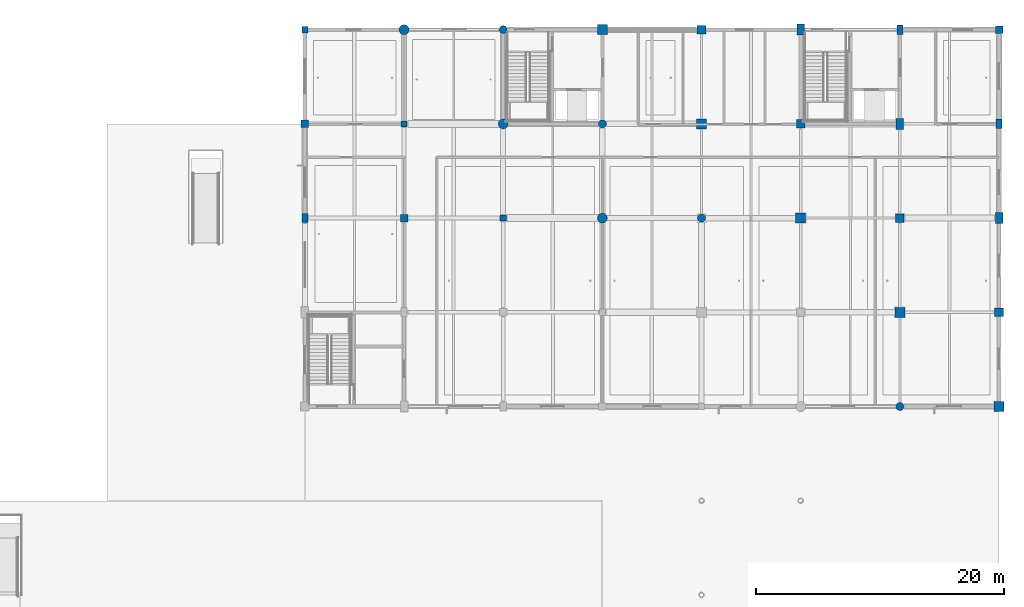
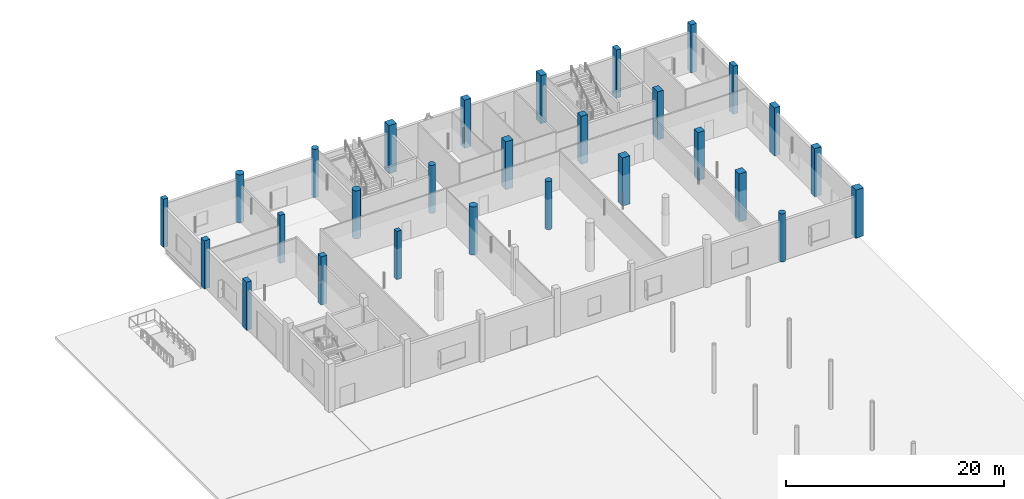
# One storey, part 10 of 126: 28 columns.
"""IFC4 building model written with IfcOpenShell, lengths in metres."""

from ifc_helpers import new_model, si_unit, direction, frame, origin, origin_2d, place, context, subcontext, project, spatial, rectangle, circle, extrude, material, material_profile, profile_set, type_object, element, save


model = new_model("IFC4")

# Units and contexts
model_context = context("Model", 3, precision=1e-05, world=origin(), true_north=direction((0.0, 1.0)))
body_context = subcontext(model_context, "Body", "Model", "MODEL_VIEW")
ifc_project = project(units=[si_unit("LENGTHUNIT", "METRE"), si_unit("AREAUNIT", "SQUARE_METRE"), si_unit("VOLUMEUNIT", "CUBIC_METRE"), si_unit("PLANEANGLEUNIT", "RADIAN"), si_unit("MASSUNIT", "GRAM", prefix="KILO")], contexts=[model_context])

# Site, building, storey
site_placement = place(None, origin())
site = spatial("IfcSite", under=ifc_project, at=site_placement, CompositionType="ELEMENT")
building_placement = place(site_placement, origin())
building = spatial("IfcBuilding", under=site, at=building_placement, Name="Khelvaren Railside Concert Hall", CompositionType="ELEMENT")
storey_placement = place(building_placement, origin())
storey = spatial("IfcBuildingStorey", under=building, at=storey_placement, Name="L00", CompositionType="ELEMENT", Elevation=0.0)

# Columns
ifc_material = material(Name="Concrete C45/55", Category="concrete")
ifc_material_profile_1 = material_profile(ifc_material, rectangle(XDim=0.60009765625, YDim=0.60009765625, at=origin_2d()), Name="RC 600x600")
ifc_profile_set_1 = profile_set([ifc_material_profile_1], Name="Concrete C45/55")
column_type_1 = type_object("IfcColumnType", Name="COL11", PredefinedType="COLUMN", material=ifc_profile_set_1)
for number, where, z_axis, x_axis, name in (
    (1, (128.0, 106.39990234375, 0.0), (0.0, 0.0, 1.0), (1.0, 0.0, 0.0), "V5 L00 Column (128.0,106.4)"),
    (2, (184.0, 114.0, 0.0), (0.0, 0.0, 1.0), (1.0, 0.0, 0.0), "V5 L00 Column (184.0,114.0)"),
):
    element("IfcColumn", number, at=place(storey_placement, frame(where, z_axis=z_axis, x_axis=x_axis)), inside=storey, type_object=column_type_1, Name=name, PredefinedType="COLUMN", context=body_context, shape_type="SweptSolid", body=[
        extrude(rectangle(XDim=0.60009765625, YDim=0.60009765625, at=origin_2d()), origin(), (0.0, 0.0, 1.0), 5.39990234375),
    ])
ifc_material_profile_2 = material_profile(ifc_material, circle(Radius=0.39990234375, at=origin_2d()), Name="RC D800")
ifc_profile_set_2 = profile_set([ifc_material_profile_2], Name="Concrete C45/55")
column_type_2 = type_object("IfcColumnType", Name="COL14", PredefinedType="COLUMN", material=ifc_profile_set_2)
for number, where, z_axis, x_axis, name in (
    (3, (144.0, 106.39990234375, 0.0), (0.0, 0.0, 1.0), (1.0, 0.0, 0.0), "V5 L00 Column (144.0,106.4)"),
    (4, (152.0, 98.800048828125, 0.0), (0.0, 0.0, 1.0), (1.0, 0.0, 0.0), "V5 L00 Column (152.0,98.8)"),
):
    element("IfcColumn", number, at=place(storey_placement, frame(where, z_axis=z_axis, x_axis=x_axis)), inside=storey, type_object=column_type_2, Name=name, PredefinedType="COLUMN", context=body_context, shape_type="SweptSolid", body=[
        extrude(circle(Radius=0.39990234375, at=origin_2d()), origin(), (0.0, 0.0, 1.0), 5.39990234375),
    ])
ifc_material_profile_3 = material_profile(ifc_material, rectangle(XDim=0.699951171875, YDim=0.699951171875, at=origin_2d()), Name="RC 700x700")
ifc_profile_set_3 = profile_set([ifc_material_profile_3], Name="Concrete C45/55")
column_type_3 = type_object("IfcColumnType", Name="COL16", PredefinedType="COLUMN", material=ifc_profile_set_3)
for number, where, z_axis, x_axis, name in (
    (5, (160.0, 114.0, 0.0), (0.0, 0.0, 1.0), (1.0, 0.0, 0.0), "V5 L00 Column (160.0,114.0)"),
    (6, (184.0, 91.199951171875, 0.0), (0.0, 0.0, 1.0), (1.0, 0.0, 0.0), "V5 L00 Column (184.0,91.2)"),
):
    element("IfcColumn", number, at=place(storey_placement, frame(where, z_axis=z_axis, x_axis=x_axis)), inside=storey, type_object=column_type_3, Name=name, PredefinedType="COLUMN", context=body_context, shape_type="SweptSolid", body=[
        extrude(rectangle(XDim=0.699951171875, YDim=0.699951171875, at=origin_2d()), origin(), (0.0, 0.0, 1.0), 5.39990234375),
    ])
ifc_material_profile_4 = material_profile(ifc_material, rectangle(XDim=0.800048828125, YDim=0.800048828125, at=origin_2d()), Name="RC 800x800")
ifc_profile_set_4 = profile_set([ifc_material_profile_4], Name="Concrete C45/55")
column_type_4 = type_object("IfcColumnType", Name="COL20", PredefinedType="COLUMN", material=ifc_profile_set_4)
for number, where, z_axis, x_axis, name in (
    (7, (160.0, 106.39990234375, 0.0), (0.0, 0.0, 1.0), (1.0, 0.0, 0.0), "V5 L00 Column (160.0,106.4)"),
    (8, (168.0, 98.800048828125, 0.0), (0.0, 0.0, 1.0), (1.0, 0.0, 0.0), "V5 L00 Column (168.0,98.8)"),
    (9, (176.0, 91.199951171875, 0.0), (0.0, 0.0, 1.0), (1.0, 0.0, 0.0), "V5 L00 Column (176.0,91.2)"),
):
    element("IfcColumn", number, at=place(storey_placement, frame(where, z_axis=z_axis, x_axis=x_axis)), inside=storey, type_object=column_type_4, Name=name, PredefinedType="COLUMN", context=body_context, shape_type="SweptSolid", body=[
        extrude(rectangle(XDim=0.800048828125, YDim=0.800048828125, at=origin_2d()), origin(), (0.0, 0.0, 1.0), 5.39990234375),
    ])
ifc_material_profile_5 = material_profile(ifc_material, circle(Radius=0.39990234375, at=origin_2d()), Name="RC D800")
ifc_profile_set_5 = profile_set([ifc_material_profile_5], Name="Concrete C45/55")
column_type_5 = type_object("IfcColumnType", Name="COL22", PredefinedType="COLUMN", material=ifc_profile_set_5)
column_1_placement = place(storey_placement, frame((136.0, 114.0, 0.0), z_axis=(0.0, 0.0, 1.0), x_axis=(1.0, 0.0, 0.0)))
element("IfcColumn", 10, at=column_1_placement, inside=storey, type_object=column_type_5, Name="V5 L00 Column (136.0,114.0)", PredefinedType="COLUMN", context=body_context, shape_type="SweptSolid", body=[
    extrude(circle(Radius=0.39990234375, at=origin_2d()), origin(), (0.0, 0.0, 1.0), 5.39990234375),
])
ifc_material_profile_6 = material_profile(ifc_material, rectangle(XDim=0.60009765625, YDim=0.60009765625, at=origin_2d()), Name="RC 600x600")
ifc_profile_set_6 = profile_set([ifc_material_profile_6], Name="Concrete C45/55")
column_type_6 = type_object("IfcColumnType", Name="COL29", PredefinedType="COLUMN", material=ifc_profile_set_6)
column_2_placement = place(storey_placement, frame((136.0, 98.800048828125, 0.0), z_axis=(0.0, 0.0, 1.0), x_axis=(1.0, 0.0, 0.0)))
element("IfcColumn", 11, at=column_2_placement, inside=storey, type_object=column_type_6, Name="V5 L00 Column (136.0,98.8)", PredefinedType="COLUMN", context=body_context, shape_type="SweptSolid", body=[
    extrude(rectangle(XDim=0.60009765625, YDim=0.60009765625, at=origin_2d()), origin(), (0.0, 0.0, 1.0), 5.39990234375),
])
ifc_material_profile_7 = material_profile(ifc_material, rectangle(XDim=0.60009765625, YDim=0.89990234375, at=origin_2d()), Name="RC 600x900")
ifc_profile_set_7 = profile_set([ifc_material_profile_7], Name="Concrete C45/55")
column_type_7 = type_object("IfcColumnType", Name="COL33", PredefinedType="COLUMN", material=ifc_profile_set_7)
column_3_placement = place(storey_placement, frame((176.0, 106.39990234375, 0.0), z_axis=(0.0, 0.0, 1.0), x_axis=(1.0, 0.0, 0.0)))
element("IfcColumn", 12, at=column_3_placement, inside=storey, type_object=column_type_7, Name="V5 L00 Column (176.0,106.4)", PredefinedType="COLUMN", context=body_context, shape_type="SweptSolid", body=[
    extrude(rectangle(XDim=0.60009765625, YDim=0.89990234375, at=origin_2d()), origin(), (0.0, 0.0, 1.0), 5.39990234375),
])
ifc_material_profile_8 = material_profile(ifc_material, rectangle(XDim=0.5, YDim=0.5, at=origin_2d()), Name="RC 500x500")
ifc_profile_set_8 = profile_set([ifc_material_profile_8], Name="Concrete C45/55")
column_type_8 = type_object("IfcColumnType", Name="COL35", PredefinedType="COLUMN", material=ifc_profile_set_8)
column_4_placement = place(storey_placement, frame((128.0, 114.0, 0.0), z_axis=(0.0, 0.0, 1.0), x_axis=(1.0, 0.0, 0.0)))
element("IfcColumn", 13, at=column_4_placement, inside=storey, type_object=column_type_8, Name="V5 L00 Column (128.0,114.0)", PredefinedType="COLUMN", context=body_context, shape_type="SweptSolid", body=[
    extrude(rectangle(XDim=0.5, YDim=0.5, at=origin_2d()), origin(), (0.0, 0.0, 1.0), 5.39990234375),
])
ifc_material_profile_9 = material_profile(ifc_material, rectangle(XDim=0.800048828125, YDim=0.800048828125, at=origin_2d()), Name="RC 800x800")
ifc_profile_set_9 = profile_set([ifc_material_profile_9], Name="Concrete C45/55")
column_type_9 = type_object("IfcColumnType", Name="COL38", PredefinedType="COLUMN", material=ifc_profile_set_9)
for number, where, z_axis, x_axis, name in (
    (14, (152.0, 114.0, 0.0), (0.0, 0.0, 1.0), (1.0, 0.0, 0.0), "V5 L00 Column (152.0,114.0)"),
    (15, (184.0, 83.60009765625, 0.0), (0.0, 0.0, 1.0), (1.0, 0.0, 0.0), "V5 L00 Column (184.0,83.6)"),
):
    element("IfcColumn", number, at=place(storey_placement, frame(where, z_axis=z_axis, x_axis=x_axis)), inside=storey, type_object=column_type_9, Name=name, PredefinedType="COLUMN", context=body_context, shape_type="SweptSolid", body=[
        extrude(rectangle(XDim=0.800048828125, YDim=0.800048828125, at=origin_2d()), origin(), (0.0, 0.0, 1.0), 5.39990234375),
    ])
ifc_material_profile_10 = material_profile(ifc_material, circle(Radius=0.324951171875, at=origin_2d()), Name="RC D650")
ifc_profile_set_10 = profile_set([ifc_material_profile_10], Name="Concrete C45/55")
column_type_10 = type_object("IfcColumnType", Name="COL53", PredefinedType="COLUMN", material=ifc_profile_set_10)
for number, where, z_axis, x_axis, name in (
    (16, (144.0, 114.0, 0.0), (0.0, 0.0, 1.0), (1.0, 0.0, 0.0), "V5 L00 Column (144.0,114.0)"),
    (17, (176.0, 83.60009765625, 0.0), (0.0, 0.0, 1.0), (1.0, 0.0, 0.0), "V5 L00 Column (176.0,83.6)"),
):
    element("IfcColumn", number, at=place(storey_placement, frame(where, z_axis=z_axis, x_axis=x_axis)), inside=storey, type_object=column_type_10, Name=name, PredefinedType="COLUMN", context=body_context, shape_type="SweptSolid", body=[
        extrude(circle(Radius=0.324951171875, at=origin_2d()), origin(), (0.0, 0.0, 1.0), 5.39990234375),
    ])
ifc_material_profile_11 = material_profile(ifc_material, rectangle(XDim=0.699951171875, YDim=0.699951171875, at=origin_2d()), Name="RC 700x700")
ifc_profile_set_11 = profile_set([ifc_material_profile_11], Name="Concrete C45/55")
column_type_11 = type_object("IfcColumnType", Name="COL74", PredefinedType="COLUMN", material=ifc_profile_set_11)
for number, where, z_axis, x_axis, name in (
    (18, (168.0, 106.39990234375, 0.0), (0.0, 0.0, 1.0), (1.0, 0.0, 0.0), "V5 L00 Column (168.0,106.4)"),
    (19, (176.0, 98.800048828125, 0.0), (0.0, 0.0, 1.0), (1.0, 0.0, 0.0), "V5 L00 Column (176.0,98.8)"),
):
    element("IfcColumn", number, at=place(storey_placement, frame(where, z_axis=z_axis, x_axis=x_axis)), inside=storey, type_object=column_type_11, Name=name, PredefinedType="COLUMN", context=body_context, shape_type="SweptSolid", body=[
        extrude(rectangle(XDim=0.699951171875, YDim=0.699951171875, at=origin_2d()), origin(), (0.0, 0.0, 1.0), 5.39990234375),
    ])
ifc_material_profile_12 = material_profile(ifc_material, rectangle(XDim=0.5, YDim=0.5, at=origin_2d()), Name="RC 500x500")
ifc_profile_set_12 = profile_set([ifc_material_profile_12], Name="Concrete C45/55")
column_type_12 = type_object("IfcColumnType", Name="COL84", PredefinedType="COLUMN", material=ifc_profile_set_12)
for number, where, z_axis, x_axis, name in (
    (20, (136.0, 106.39990234375, 0.0), (0.0, 0.0, 1.0), (1.0, 0.0, 0.0), "V5 L00 Column (136.0,106.4)"),
    (21, (144.0, 98.800048828125, 0.0), (0.0, 0.0, 1.0), (1.0, 0.0, 0.0), "V5 L00 Column (144.0,98.8)"),
):
    element("IfcColumn", number, at=place(storey_placement, frame(where, z_axis=z_axis, x_axis=x_axis)), inside=storey, type_object=column_type_12, Name=name, PredefinedType="COLUMN", context=body_context, shape_type="SweptSolid", body=[
        extrude(rectangle(XDim=0.5, YDim=0.5, at=origin_2d()), origin(), (0.0, 0.0, 1.0), 5.39990234375),
    ])
ifc_material_profile_13 = material_profile(ifc_material, circle(Radius=0.324951171875, at=origin_2d()), Name="RC D650")
ifc_profile_set_13 = profile_set([ifc_material_profile_13], Name="Concrete C45/55")
column_type_13 = type_object("IfcColumnType", Name="COL94", PredefinedType="COLUMN", material=ifc_profile_set_13)
for number, where, z_axis, x_axis, name in (
    (22, (152.0, 106.39990234375, 0.0), (0.0, 0.0, 1.0), (1.0, 0.0, 0.0), "V5 L00 Column (152.0,106.4)"),
    (23, (160.0, 98.800048828125, 0.0), (0.0, 0.0, 1.0), (1.0, 0.0, 0.0), "V5 L00 Column (160.0,98.8)"),
):
    element("IfcColumn", number, at=place(storey_placement, frame(where, z_axis=z_axis, x_axis=x_axis)), inside=storey, type_object=column_type_13, Name=name, PredefinedType="COLUMN", context=body_context, shape_type="SweptSolid", body=[
        extrude(circle(Radius=0.324951171875, at=origin_2d()), origin(), (0.0, 0.0, 1.0), 5.39990234375),
    ])
ifc_material_profile_14 = material_profile(ifc_material, rectangle(XDim=0.60009765625, YDim=0.89990234375, at=origin_2d()), Name="RC 600x900")
ifc_profile_set_14 = profile_set([ifc_material_profile_14], Name="Concrete C45/55")
column_type_14 = type_object("IfcColumnType", Name="COL95", PredefinedType="COLUMN", material=ifc_profile_set_14)
for number, where, z_axis, x_axis, name in (
    (24, (168.0, 114.0, 0.0), (0.0, 0.0, 1.0), (1.0, 0.0, 0.0), "V5 L00 Column (168.0,114.0)"),
    (25, (184.0, 98.800048828125, 0.0), (0.0, 0.0, 1.0), (1.0, 0.0, 0.0), "V5 L00 Column (184.0,98.8)"),
):
    element("IfcColumn", number, at=place(storey_placement, frame(where, z_axis=z_axis, x_axis=x_axis)), inside=storey, type_object=column_type_14, Name=name, PredefinedType="COLUMN", context=body_context, shape_type="SweptSolid", body=[
        extrude(rectangle(XDim=0.60009765625, YDim=0.89990234375, at=origin_2d()), origin(), (0.0, 0.0, 1.0), 5.39990234375),
    ])
ifc_material_profile_15 = material_profile(ifc_material, rectangle(XDim=0.5, YDim=0.75, at=origin_2d()), Name="RC 500x750")
ifc_profile_set_15 = profile_set([ifc_material_profile_15], Name="Concrete C45/55")
column_type_15 = type_object("IfcColumnType", Name="COL97", PredefinedType="COLUMN", material=ifc_profile_set_15)
for number, where, z_axis, x_axis, name in (
    (26, (128.0, 98.800048828125, 0.0), (0.0, 0.0, 1.0), (1.0, 0.0, 0.0), "V5 L00 Column (128.0,98.8)"),
    (27, (176.0, 114.0, 0.0), (0.0, 0.0, 1.0), (1.0, 0.0, 0.0), "V5 L00 Column (176.0,114.0)"),
    (28, (184.0, 106.39990234375, 0.0), (0.0, 0.0, 1.0), (1.0, 0.0, 0.0), "V5 L00 Column (184.0,106.4)"),
):
    element("IfcColumn", number, at=place(storey_placement, frame(where, z_axis=z_axis, x_axis=x_axis)), inside=storey, type_object=column_type_15, Name=name, PredefinedType="COLUMN", context=body_context, shape_type="SweptSolid", body=[
        extrude(rectangle(XDim=0.5, YDim=0.75, at=origin_2d()), origin(), (0.0, 0.0, 1.0), 5.39990234375),
    ])

save(model, "model.ifc")
